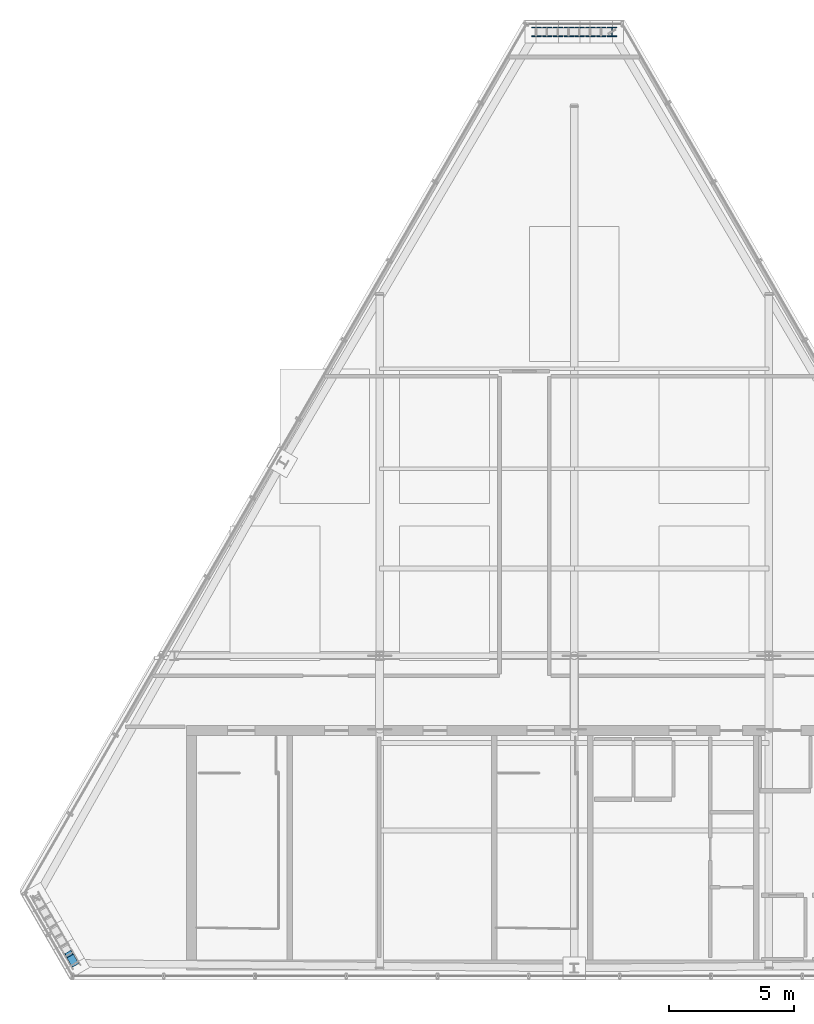
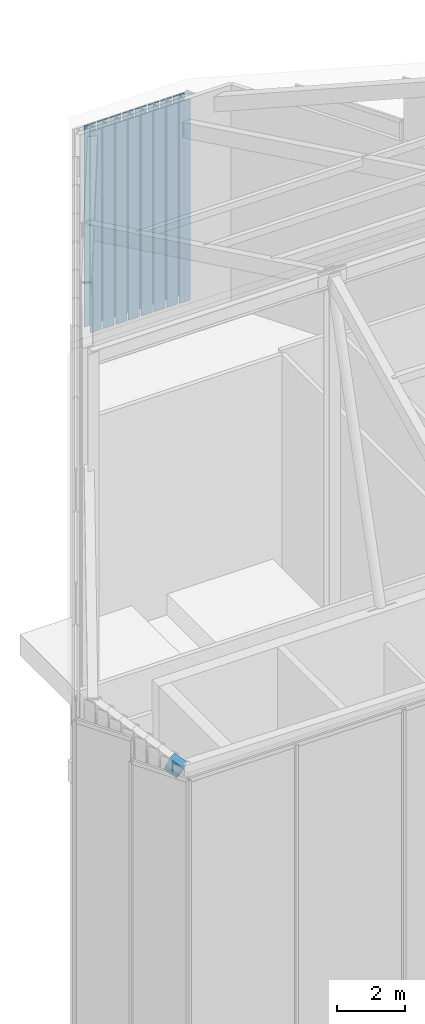
# One storey, part 2 of 36: 8 columns, 1 member.
"""IFC4 building model written with IfcOpenShell, lengths in metres."""

import ifcopenshell
import ifcopenshell.guid

model = None  # the IFC model being written
_history = None  # IfcOwnerHistory: only IFC2X3 demands one
_inside = {}  # id of a spatial element -> (the spatial element, [elements in it])
_under = {}  # id of a project, library or spatial element -> (it, [spatial elements below it])
_declared = {}  # id of a project -> (the project, [libraries it declares])
_typed = {}  # id of a type object -> (the type object, [elements of that type])
_made_of = {}  # id of a material, layer set ... -> (it, [elements and type objects made of it])


def new_model(schema):
    """Start an empty IFC model of exactly this schema.

    Asked for "IFC4X3", IfcOpenShell would pick the latest addendum, in which some entities
    have other attributes; the version numbers below select the first issue.
    IFC2X3 requires an IfcOwnerHistory on every rooted entity: one is made here for all.
    """
    global model, _history
    if schema == "IFC4X3":
        model = ifcopenshell.file(schema_version=(4, 3, 0, 0))
    else:
        model = ifcopenshell.file(schema=schema)
    _inside.clear()
    _under.clear()
    _declared.clear()
    _typed.clear()
    _made_of.clear()
    _history = None
    if model.schema == "IFC2X3":
        org = make("IfcOrganization", Name="unknown")
        user = make(
            "IfcPersonAndOrganization",
            ThePerson=make("IfcPerson", FamilyName="unknown"),
            TheOrganization=org,
        )
        app = make(
            "IfcApplication",
            ApplicationDeveloper=org,
            Version="unknown",
            ApplicationFullName="unknown",
            ApplicationIdentifier="unknown",
        )
        _history = make(
            "IfcOwnerHistory",
            OwningUser=user,
            OwningApplication=app,
            ChangeAction="ADDED",
            CreationDate=0,
        )
    return model


def make(cls, **values):
    """One entity of the class cls with the attributes given. An attribute that is None is left unset."""
    return model.create_entity(
        cls, **{name: value for name, value in values.items() if value is not None}
    )


def rooted(cls, **values):
    """An entity with a GlobalId (a new one), such as an element, a storey or a relation."""
    return make(cls, GlobalId=ifcopenshell.guid.new(), OwnerHistory=_history, **values)


def si_unit(unit_type, name, prefix=None):
    """IfcSIUnit, for example si_unit("LENGTHUNIT", "METRE", prefix="MILLI")."""
    return make("IfcSIUnit", UnitType=unit_type, Prefix=prefix, Name=name)


def assignment(units):
    """IfcUnitAssignment: the units of a project."""
    return None if units is None else make("IfcUnitAssignment", Units=units)


def point(xyz):
    """IfcCartesianPoint."""
    return None if xyz is None else make("IfcCartesianPoint", Coordinates=xyz)


def direction(xyz):
    """IfcDirection."""
    return None if xyz is None else make("IfcDirection", DirectionRatios=xyz)


def frame(location, z_axis=None, x_axis=None):
    """IfcAxis2Placement3D, a coordinate frame: its origin and axes. An axis left out is left unset."""
    return make(
        "IfcAxis2Placement3D",
        Location=point(location),
        Axis=direction(z_axis),
        RefDirection=direction(x_axis),
    )


def frame_2d(location, x_axis=None):
    """IfcAxis2Placement2D, a coordinate frame in the plane: its origin and x axis."""
    return make(
        "IfcAxis2Placement2D", Location=point(location), RefDirection=direction(x_axis)
    )


def origin():
    """The frame at (0, 0, 0) with its axes left unset."""
    return frame((0.0, 0.0, 0.0))


def origin_2d():
    """The frame at (0, 0) in the plane with its x axis left unset."""
    return frame_2d((0.0, 0.0))


def place(relative_to, where):
    """IfcLocalPlacement: puts the frame where relative to a parent placement (None: the world)."""
    return make(
        "IfcLocalPlacement", PlacementRelTo=relative_to, RelativePlacement=where
    )


def context(
    kind, dimensions, precision=None, world=None, true_north=None, identifier=None
):
    """IfcGeometricRepresentationContext, for example the 3D "Model" context."""
    return make(
        "IfcGeometricRepresentationContext",
        ContextIdentifier=identifier,
        ContextType=kind,
        CoordinateSpaceDimension=dimensions,
        Precision=precision,
        WorldCoordinateSystem=world,
        TrueNorth=true_north,
    )


def subcontext(parent, identifier, kind, view, scale=None):
    """IfcGeometricRepresentationSubContext, for example "Body" below "Model"."""
    return make(
        "IfcGeometricRepresentationSubContext",
        ContextIdentifier=identifier,
        ContextType=kind,
        ParentContext=parent,
        TargetScale=scale,
        TargetView=view,
    )


def project(units=None, contexts=None):
    """IfcProject with its units and contexts."""
    return rooted(
        "IfcProject",
        Name="project",
        RepresentationContexts=contexts,
        UnitsInContext=assignment(units),
    )


def spatial(cls, under=None, at=None, **own):
    """A site, building, storey or space (cls), placed at a placement, below another one or the project."""
    s = rooted(cls, ObjectPlacement=at, **own)
    if under is not None:
        _under.setdefault(under.id(), (under, []))[1].append(s)
    return s


def profile(cls, at=None, kind="AREA", **sizes):
    """A parametric profile (cls). Its sizes go by their IFC names, for example OverallWidth=200.0."""
    return make(cls, ProfileType=kind, Position=at, **sizes)


def hollow_rectangle(**sizes):
    """IfcRectangleHollowProfileDef."""
    return profile("IfcRectangleHollowProfileDef", **sizes)


def i_section(**sizes):
    """IfcIShapeProfileDef."""
    return profile("IfcIShapeProfileDef", **sizes)


def extrude(swept, where, along, depth):
    """IfcExtrudedAreaSolid: the profile swept, set in the frame where, extruded along a direction by depth."""
    return make(
        "IfcExtrudedAreaSolid",
        SweptArea=swept,
        Position=where,
        ExtrudedDirection=direction(along),
        Depth=depth,
    )


def shape(context_of_items, identifier, shape_type, items):
    """IfcShapeRepresentation: the items that make up one representation, for example the "Body"."""
    return make(
        "IfcShapeRepresentation",
        ContextOfItems=context_of_items,
        RepresentationIdentifier=identifier,
        RepresentationType=shape_type,
        Items=items,
    )


def material(Name=None, Category=None):
    """IfcMaterial."""
    return make("IfcMaterial", Name=Name, Category=Category)


def material_profile(
    of_material, cross_section, Name=None, Category=None, Priority=None
):
    """IfcMaterialProfile: a cross section and its material."""
    return make(
        "IfcMaterialProfile",
        Name=Name,
        Material=of_material,
        Profile=cross_section,
        Priority=Priority,
        Category=Category,
    )


def profile_set(profiles, Name=None, composite=None):
    """IfcMaterialProfileSet."""
    return make(
        "IfcMaterialProfileSet",
        Name=Name,
        MaterialProfiles=profiles,
        CompositeProfile=composite,
    )


def made_of(thing, what):
    """Note that an element or type object is made of a material, layer set ...; save() writes the relation."""
    if what is not None:
        _made_of.setdefault(what.id(), (what, []))[1].append(thing)
    return thing


def type_object(cls, material=None, **own):
    """A type object (cls), such as IfcWallType, which elements share."""
    return made_of(rooted(cls, **own), material)


def element(
    cls,
    number,
    at=None,
    inside=None,
    cuts=None,
    type_object=None,
    material=None,
    context=None,
    identifier="Body",
    shape_type=None,
    held_by="IfcProductDefinitionShape",
    body=None,
    shapes=None,
    **own,
):
    """One element of the class cls, such as IfcWall. Its Tag is "e" and its number.

    at: its placement. inside: the storey or other place that contains it. cuts: it is an
    opening in that element (IfcRelVoidsElement). A single representation is given by context,
    identifier, shape_type and body (its items); several are given by shapes. held_by: the class
    of the entity that holds the representations. save() writes the other relations.
    """
    e = rooted(cls, Tag="e%d" % number, ObjectPlacement=at, **own)
    if body is not None:
        shapes = [shape(context, identifier, shape_type, body)]
    if shapes is not None:
        e.Representation = make(held_by, Representations=shapes)
    if inside is not None:
        _inside.setdefault(inside.id(), (inside, []))[1].append(e)
    if cuts is not None:
        rooted(
            "IfcRelVoidsElement", RelatingBuildingElement=cuts, RelatedOpeningElement=e
        )
    if type_object is not None:
        _typed.setdefault(type_object.id(), (type_object, []))[1].append(e)
    return made_of(e, material)


def aggregate(whole, parts):
    """IfcRelAggregates: a whole, such as a stair, and the parts it consists of."""
    return rooted("IfcRelAggregates", RelatingObject=whole, RelatedObjects=parts)


def save(model, path):
    """Write the relations noted so far, then the file.

    IfcRelAggregates (storeys below a building ...), IfcRelContainedInSpatialStructure (elements
    in a storey), IfcRelDefinesByType, IfcRelAssociatesMaterial and IfcRelDeclares: one each for
    every whole, place, type object, material and project.
    """
    for whole, parts in _under.values():
        aggregate(whole, parts)
    for where, things in _inside.values():
        rooted(
            "IfcRelContainedInSpatialStructure",
            RelatedElements=things,
            RelatingStructure=where,
        )
    for kind, things in _typed.values():
        rooted("IfcRelDefinesByType", RelatedObjects=things, RelatingType=kind)
    for what, things in _made_of.values():
        rooted("IfcRelAssociatesMaterial", RelatedObjects=things, RelatingMaterial=what)
    for by, libraries in _declared.values():
        rooted("IfcRelDeclares", RelatingContext=by, RelatedDefinitions=libraries)
    model.write(path)


model = new_model("IFC4")

# Units and contexts
model_context = context("Model", 3, precision=1e-05, world=origin(), true_north=direction((0.0, 1.0)))
body_context = subcontext(model_context, "Body", "Model", "MODEL_VIEW")
ifc_project = project(units=[si_unit("LENGTHUNIT", "METRE"), si_unit("AREAUNIT", "SQUARE_METRE"), si_unit("VOLUMEUNIT", "CUBIC_METRE"), si_unit("PLANEANGLEUNIT", "RADIAN"), si_unit("MASSUNIT", "GRAM", prefix="KILO")], contexts=[model_context])

# Site, building, storey
site_placement = place(None, origin())
site = spatial("IfcSite", under=ifc_project, at=site_placement, CompositionType="ELEMENT")
building_placement = place(site_placement, origin())
building = spatial("IfcBuilding", under=site, at=building_placement, Name="Ndaravel Arena Tower", CompositionType="ELEMENT")
storey_placement = place(building_placement, frame((0.0, 0.0, 308.10009765625)))
storey = spatial("IfcBuildingStorey", under=building, at=storey_placement, Name="Roof Crown", CompositionType="ELEMENT", Elevation=308.10009765625)

# Columns
ifc_material_1 = material(Name="Steel S355", Category="steel")
ifc_material_profile_1 = material_profile(ifc_material_1, i_section(OverallWidth=0.374755859375, OverallDepth=0.37451171875, WebThickness=0.0166015625, FlangeThickness=0.027099609375, FilletRadius=0.01513671875, at=origin_2d()), Name="UC 356x368x202")
ifc_profile_set_1 = profile_set([ifc_material_profile_1], Name="Steel S355")
column_type = type_object("IfcColumnType", Name="COL-CRN-UC202", PredefinedType="COLUMN", material=ifc_profile_set_1)
for number, where, z_axis, x_axis, name in (
    (1, (43.518310546875, 43.00537109375, 0.0), (0.0, 0.0, 1.0), (1.0, 0.0, 0.0), "Roof Crown Perimeter Column CC-11"),
    (2, (43.08447265625, 43.00537109375, 0.0), (0.0, 0.0, 1.0), (1.0, 0.0, 0.0), "Roof Crown Perimeter Column CC-12"),
    (3, (42.650634765625, 43.00537109375, 0.0), (0.0, 0.0, 1.0), (1.0, 0.0, 0.0), "Roof Crown Perimeter Column CC-13"),
    (4, (42.216796875, 43.00537109375, 0.0), (0.0, 0.0, 1.0), (1.0, 0.0, 0.0), "Roof Crown Perimeter Column CC-14"),
    (5, (41.783203125, 43.00537109375, 0.0), (0.0, 0.0, 1.0), (1.0, 0.0, 0.0), "Roof Crown Perimeter Column CC-15"),
    (6, (41.349365234375, 43.00537109375, 0.0), (0.0, 0.0, 1.0), (1.0, 0.0, 0.0), "Roof Crown Perimeter Column CC-16"),
    (7, (40.91552734375, 43.00537109375, 0.0), (0.0, 0.0, 1.0), (1.0, 0.0, 0.0), "Roof Crown Perimeter Column CC-17"),
    (8, (40.481689453125, 43.00537109375, 0.0), (0.0, 0.0, 1.0), (1.0, 0.0, 0.0), "Roof Crown Perimeter Column CC-18"),
):
    element("IfcColumn", number, at=place(storey_placement, frame(where, z_axis=z_axis, x_axis=x_axis)), inside=storey, type_object=column_type, Name=name, PredefinedType="COLUMN", context=body_context, shape_type="SweptSolid", body=[
        extrude(i_section(OverallWidth=0.374755859375, OverallDepth=0.37451171875, WebThickness=0.0166015625, FlangeThickness=0.027099609375, FilletRadius=0.01513671875, at=origin_2d()), origin(), (0.0, 0.0, 1.0), 7.25439453125),
    ])

# Member
ifc_material_2 = material(Name="Steel S355", Category="steel")
ifc_material_profile_2 = material_profile(ifc_material_2, hollow_rectangle(XDim=0.300048828125, YDim=0.5, WallThickness=0.02001953125, at=origin_2d()), Name="RHS 500x300x20")
ifc_profile_set_2 = profile_set([ifc_material_profile_2], Name="Steel S355")
member_type = type_object("IfcMemberType", Name="MEM-CRN-RAFTER", PredefinedType="RAFTER", material=ifc_profile_set_2)
member_placement = place(storey_placement, frame((21.744384765625, 6.04345703125, 13.368896484375), z_axis=(0.460433473753, -0.797980986605, -0.388879623102), x_axis=(0.866157475642, 0.499771175029, 0.0)))
element("IfcMember", 9, at=member_placement, inside=storey, type_object=member_type, Name="Crown Eaves Ring Member CER-26", PredefinedType="RAFTER", context=body_context, shape_type="SweptSolid", body=[
    extrude(hollow_rectangle(XDim=0.300048828125, YDim=0.5, WallThickness=0.02001953125, at=origin_2d()), origin(), (0.0, 0.0, 1.0), 0.470947265625),
])

save(model, "model.ifc")
